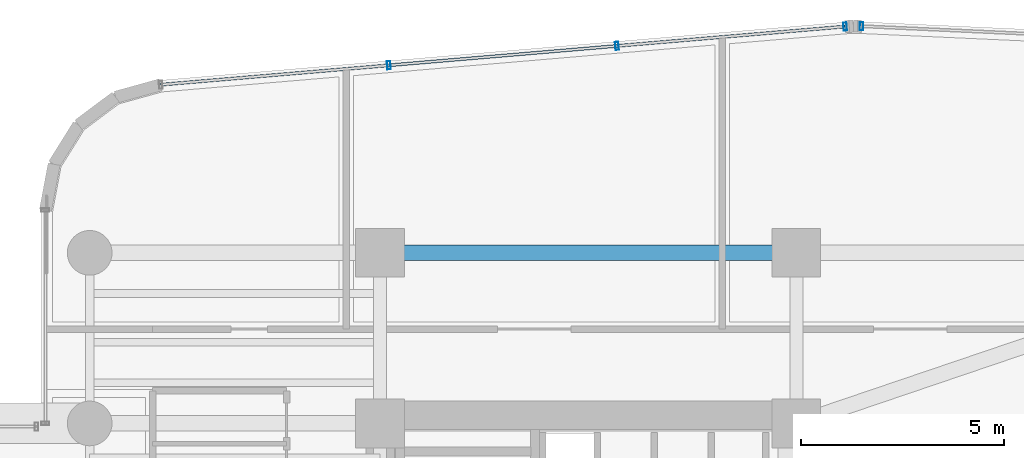
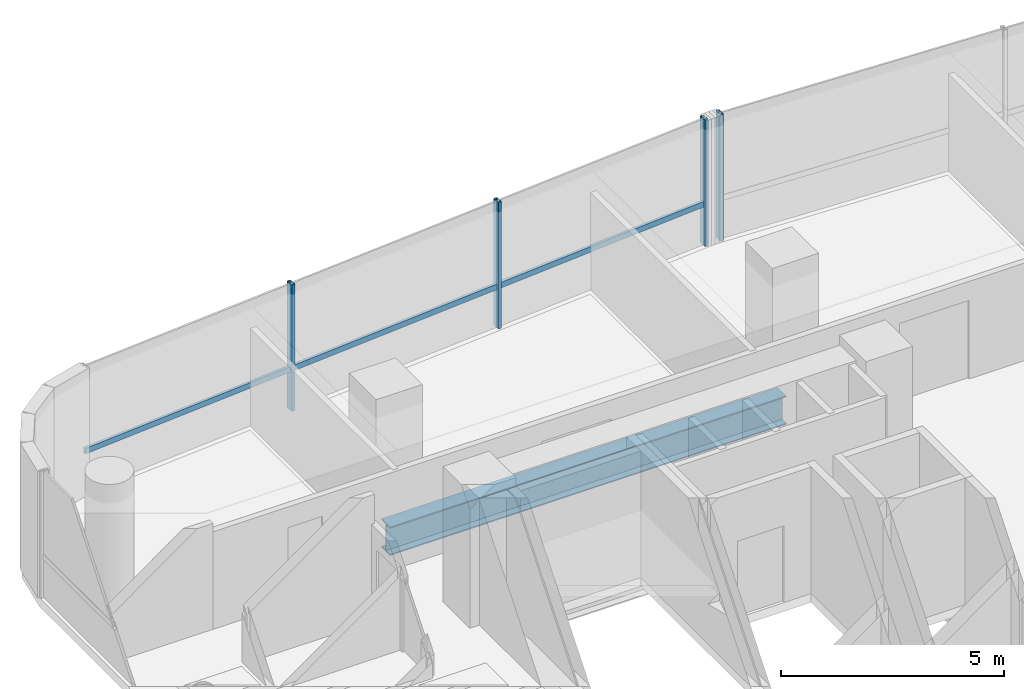
# One storey, part 19 of 35: 5 members, 1 beam, 2 elements without a shape of their own.
"""IFC4 building model written with IfcOpenShell, lengths in metres."""

import ifcopenshell
import ifcopenshell.guid

model = None  # the IFC model being written
_history = None  # IfcOwnerHistory: only IFC2X3 demands one
_inside = {}  # id of a spatial element -> (the spatial element, [elements in it])
_under = {}  # id of a project, library or spatial element -> (it, [spatial elements below it])
_declared = {}  # id of a project -> (the project, [libraries it declares])
_typed = {}  # id of a type object -> (the type object, [elements of that type])
_made_of = {}  # id of a material, layer set ... -> (it, [elements and type objects made of it])


def new_model(schema):
    """Start an empty IFC model of exactly this schema.

    Asked for "IFC4X3", IfcOpenShell would pick the latest addendum, in which some entities
    have other attributes; the version numbers below select the first issue.
    IFC2X3 requires an IfcOwnerHistory on every rooted entity: one is made here for all.
    """
    global model, _history
    if schema == "IFC4X3":
        model = ifcopenshell.file(schema_version=(4, 3, 0, 0))
    else:
        model = ifcopenshell.file(schema=schema)
    _inside.clear()
    _under.clear()
    _declared.clear()
    _typed.clear()
    _made_of.clear()
    _history = None
    if model.schema == "IFC2X3":
        org = make("IfcOrganization", Name="unknown")
        user = make(
            "IfcPersonAndOrganization",
            ThePerson=make("IfcPerson", FamilyName="unknown"),
            TheOrganization=org,
        )
        app = make(
            "IfcApplication",
            ApplicationDeveloper=org,
            Version="unknown",
            ApplicationFullName="unknown",
            ApplicationIdentifier="unknown",
        )
        _history = make(
            "IfcOwnerHistory",
            OwningUser=user,
            OwningApplication=app,
            ChangeAction="ADDED",
            CreationDate=0,
        )
    return model


def make(cls, **values):
    """One entity of the class cls with the attributes given. An attribute that is None is left unset."""
    return model.create_entity(
        cls, **{name: value for name, value in values.items() if value is not None}
    )


def rooted(cls, **values):
    """An entity with a GlobalId (a new one), such as an element, a storey or a relation."""
    return make(cls, GlobalId=ifcopenshell.guid.new(), OwnerHistory=_history, **values)


def si_unit(unit_type, name, prefix=None):
    """IfcSIUnit, for example si_unit("LENGTHUNIT", "METRE", prefix="MILLI")."""
    return make("IfcSIUnit", UnitType=unit_type, Prefix=prefix, Name=name)


def assignment(units):
    """IfcUnitAssignment: the units of a project."""
    return None if units is None else make("IfcUnitAssignment", Units=units)


def point(xyz):
    """IfcCartesianPoint."""
    return None if xyz is None else make("IfcCartesianPoint", Coordinates=xyz)


def direction(xyz):
    """IfcDirection."""
    return None if xyz is None else make("IfcDirection", DirectionRatios=xyz)


def frame(location, z_axis=None, x_axis=None):
    """IfcAxis2Placement3D, a coordinate frame: its origin and axes. An axis left out is left unset."""
    return make(
        "IfcAxis2Placement3D",
        Location=point(location),
        Axis=direction(z_axis),
        RefDirection=direction(x_axis),
    )


def frame_2d(location, x_axis=None):
    """IfcAxis2Placement2D, a coordinate frame in the plane: its origin and x axis."""
    return make(
        "IfcAxis2Placement2D", Location=point(location), RefDirection=direction(x_axis)
    )


def origin():
    """The frame at (0, 0, 0) with its axes left unset."""
    return frame((0.0, 0.0, 0.0))


def origin_2d():
    """The frame at (0, 0) in the plane with its x axis left unset."""
    return frame_2d((0.0, 0.0))


def place(relative_to, where):
    """IfcLocalPlacement: puts the frame where relative to a parent placement (None: the world)."""
    return make(
        "IfcLocalPlacement", PlacementRelTo=relative_to, RelativePlacement=where
    )


def context(
    kind, dimensions, precision=None, world=None, true_north=None, identifier=None
):
    """IfcGeometricRepresentationContext, for example the 3D "Model" context."""
    return make(
        "IfcGeometricRepresentationContext",
        ContextIdentifier=identifier,
        ContextType=kind,
        CoordinateSpaceDimension=dimensions,
        Precision=precision,
        WorldCoordinateSystem=world,
        TrueNorth=true_north,
    )


def subcontext(parent, identifier, kind, view, scale=None):
    """IfcGeometricRepresentationSubContext, for example "Body" below "Model"."""
    return make(
        "IfcGeometricRepresentationSubContext",
        ContextIdentifier=identifier,
        ContextType=kind,
        ParentContext=parent,
        TargetScale=scale,
        TargetView=view,
    )


def project(units=None, contexts=None):
    """IfcProject with its units and contexts."""
    return rooted(
        "IfcProject",
        Name="project",
        RepresentationContexts=contexts,
        UnitsInContext=assignment(units),
    )


def spatial(cls, under=None, at=None, **own):
    """A site, building, storey or space (cls), placed at a placement, below another one or the project."""
    s = rooted(cls, ObjectPlacement=at, **own)
    if under is not None:
        _under.setdefault(under.id(), (under, []))[1].append(s)
    return s


def profile(cls, at=None, kind="AREA", **sizes):
    """A parametric profile (cls). Its sizes go by their IFC names, for example OverallWidth=200.0."""
    return make(cls, ProfileType=kind, Position=at, **sizes)


def hollow_rectangle(**sizes):
    """IfcRectangleHollowProfileDef."""
    return profile("IfcRectangleHollowProfileDef", **sizes)


def i_section(**sizes):
    """IfcIShapeProfileDef."""
    return profile("IfcIShapeProfileDef", **sizes)


def extrude(swept, where, along, depth):
    """IfcExtrudedAreaSolid: the profile swept, set in the frame where, extruded along a direction by depth."""
    return make(
        "IfcExtrudedAreaSolid",
        SweptArea=swept,
        Position=where,
        ExtrudedDirection=direction(along),
        Depth=depth,
    )


def shape(context_of_items, identifier, shape_type, items):
    """IfcShapeRepresentation: the items that make up one representation, for example the "Body"."""
    return make(
        "IfcShapeRepresentation",
        ContextOfItems=context_of_items,
        RepresentationIdentifier=identifier,
        RepresentationType=shape_type,
        Items=items,
    )


def source(mapping_origin, context_of_items, identifier, shape_type, items):
    """IfcRepresentationMap: a shape defined once, which mapped items show again and again."""
    return make(
        "IfcRepresentationMap",
        MappingOrigin=mapping_origin,
        MappedRepresentation=shape(context_of_items, identifier, shape_type, items),
    )


def transform(
    local_origin,
    x_axis=None,
    y_axis=None,
    z_axis=None,
    scale=None,
    scale2=None,
    scale3=None,
    uniform=True,
):
    """IfcCartesianTransformationOperator3D, or its non-uniform kind. x_axis, y_axis, z_axis: its Axis1, 2, 3."""
    if uniform:
        return make(
            "IfcCartesianTransformationOperator3D",
            Axis1=direction(x_axis),
            Axis2=direction(y_axis),
            LocalOrigin=point(local_origin),
            Scale=scale,
            Axis3=direction(z_axis),
        )
    return make(
        "IfcCartesianTransformationOperator3DnonUniform",
        Axis1=direction(x_axis),
        Axis2=direction(y_axis),
        LocalOrigin=point(local_origin),
        Scale=scale,
        Axis3=direction(z_axis),
        Scale2=scale2,
        Scale3=scale3,
    )


def mapped(mapping_source, mapping_target):
    """IfcMappedItem: shows the shape of a source again, moved by a transform."""
    return make(
        "IfcMappedItem", MappingSource=mapping_source, MappingTarget=mapping_target
    )


def material(Name=None, Category=None):
    """IfcMaterial."""
    return make("IfcMaterial", Name=Name, Category=Category)


def material_profile(
    of_material, cross_section, Name=None, Category=None, Priority=None
):
    """IfcMaterialProfile: a cross section and its material."""
    return make(
        "IfcMaterialProfile",
        Name=Name,
        Material=of_material,
        Profile=cross_section,
        Priority=Priority,
        Category=Category,
    )


def profile_set(profiles, Name=None, composite=None):
    """IfcMaterialProfileSet."""
    return make(
        "IfcMaterialProfileSet",
        Name=Name,
        MaterialProfiles=profiles,
        CompositeProfile=composite,
    )


def made_of(thing, what):
    """Note that an element or type object is made of a material, layer set ...; save() writes the relation."""
    if what is not None:
        _made_of.setdefault(what.id(), (what, []))[1].append(thing)
    return thing


def type_object(cls, material=None, **own):
    """A type object (cls), such as IfcWallType, which elements share."""
    return made_of(rooted(cls, **own), material)


def element(
    cls,
    number,
    at=None,
    inside=None,
    cuts=None,
    type_object=None,
    material=None,
    context=None,
    identifier="Body",
    shape_type=None,
    held_by="IfcProductDefinitionShape",
    body=None,
    shapes=None,
    **own,
):
    """One element of the class cls, such as IfcWall. Its Tag is "e" and its number.

    at: its placement. inside: the storey or other place that contains it. cuts: it is an
    opening in that element (IfcRelVoidsElement). A single representation is given by context,
    identifier, shape_type and body (its items); several are given by shapes. held_by: the class
    of the entity that holds the representations. save() writes the other relations.
    """
    e = rooted(cls, Tag="e%d" % number, ObjectPlacement=at, **own)
    if body is not None:
        shapes = [shape(context, identifier, shape_type, body)]
    if shapes is not None:
        e.Representation = make(held_by, Representations=shapes)
    if inside is not None:
        _inside.setdefault(inside.id(), (inside, []))[1].append(e)
    if cuts is not None:
        rooted(
            "IfcRelVoidsElement", RelatingBuildingElement=cuts, RelatedOpeningElement=e
        )
    if type_object is not None:
        _typed.setdefault(type_object.id(), (type_object, []))[1].append(e)
    return made_of(e, material)


def aggregate(whole, parts):
    """IfcRelAggregates: a whole, such as a stair, and the parts it consists of."""
    return rooted("IfcRelAggregates", RelatingObject=whole, RelatedObjects=parts)


def save(model, path):
    """Write the relations noted so far, then the file.

    IfcRelAggregates (storeys below a building ...), IfcRelContainedInSpatialStructure (elements
    in a storey), IfcRelDefinesByType, IfcRelAssociatesMaterial and IfcRelDeclares: one each for
    every whole, place, type object, material and project.
    """
    for whole, parts in _under.values():
        aggregate(whole, parts)
    for where, things in _inside.values():
        rooted(
            "IfcRelContainedInSpatialStructure",
            RelatedElements=things,
            RelatingStructure=where,
        )
    for kind, things in _typed.values():
        rooted("IfcRelDefinesByType", RelatedObjects=things, RelatingType=kind)
    for what, things in _made_of.values():
        rooted("IfcRelAssociatesMaterial", RelatedObjects=things, RelatingMaterial=what)
    for by, libraries in _declared.values():
        rooted("IfcRelDeclares", RelatingContext=by, RelatedDefinitions=libraries)
    model.write(path)


model = new_model("IFC4")

# Units and contexts
model_context = context("Model", 3, precision=1e-05, world=origin(), true_north=direction((0.0, 1.0)))
body_context = subcontext(model_context, "Body", "Model", "MODEL_VIEW")
ifc_project = project(units=[si_unit("LENGTHUNIT", "METRE"), si_unit("AREAUNIT", "SQUARE_METRE"), si_unit("VOLUMEUNIT", "CUBIC_METRE"), si_unit("PLANEANGLEUNIT", "RADIAN"), si_unit("MASSUNIT", "GRAM", prefix="KILO")], contexts=[model_context])

# Site, building, storey
site_placement = place(None, origin())
site = spatial("IfcSite", under=ifc_project, at=site_placement, CompositionType="ELEMENT")
building_placement = place(site_placement, origin())
building = spatial("IfcBuilding", under=site, at=building_placement, Name="Valdorenza Pilgrim Sanctuary Tower", CompositionType="ELEMENT")
storey_placement = place(building_placement, frame((0.0, 0.0, 139.0)))
storey = spatial("IfcBuildingStorey", under=building, at=storey_placement, Name="L35", CompositionType="ELEMENT", Elevation=139.0)

# Beam
ifc_material_1 = material(Name="Steel ASTM A992 Grade 50", Category="steel")
ifc_material_profile_1 = material_profile(ifc_material_1, i_section(OverallWidth=0.382080078125, OverallDepth=0.779052734375, WebThickness=0.01806640625, FlangeThickness=0.030029296875, at=origin_2d()), Name="W30X191")
ifc_profile_set_1 = profile_set([ifc_material_profile_1], Name="Steel ASTM A992 Grade 50")
beam_type = type_object("IfcBeamType", Name="STR-BM-GRD-W30", PredefinedType="BEAM", material=ifc_profile_set_1)
shared_shape_1 = source(origin(), body_context, "Body", "SweptSolid", [
    extrude(i_section(OverallWidth=0.382080078125, OverallDepth=0.779052734375, WebThickness=0.01806640625, FlangeThickness=0.030029296875, at=origin_2d()), origin(), (0.0, 0.0, 1.0), 10.25),
])
beam_placement = place(storey_placement, frame((-22.64990234375, 14.800048828125, -0.62939453125), z_axis=(1.0, 0.0, 0.0), x_axis=(0.0, 1.0, 0.0)))
element("IfcBeam", 1, at=beam_placement, inside=storey, type_object=beam_type, Name="L35 Floor Girder CA-XC-N2", PredefinedType="BEAM", context=body_context, shape_type="MappedRepresentation", body=[
    mapped(shared_shape_1, transform((0.0, 0.0, 0.0), x_axis=(1.0, 0.0, 0.0), y_axis=(0.0, 1.0, 0.0), z_axis=(0.0, 0.0, 1.0), scale=1.0)),
])

# Curtain wall, members
ifc_material_2 = material(Name="Curtain-wall IGU glazing", Category="glass")
curtain_wall_type = type_object("IfcCurtainWallType", Name="CW-SYS-02", PredefinedType="NOTDEFINED", material=ifc_material_2)
curtain_wall_1_placement = place(storey_placement, origin())
curtain_wall_1 = element("IfcCurtainWall", 2, at=curtain_wall_1_placement, inside=storey, type_object=curtain_wall_type, Name="L35 Curtain Wall CW-L35-1-6", PredefinedType="NOTDEFINED")
ifc_material_3 = material(Name="Anodised aluminium AW-6060", Category="aluminium")
ifc_material_profile_2 = material_profile(ifc_material_3, hollow_rectangle(XDim=0.0849609375, YDim=0.199951171875, WallThickness=0.0048828125, at=origin_2d()), Name="ALU-M 200x85x5")
ifc_profile_set_2 = profile_set([ifc_material_profile_2], Name="Anodised aluminium AW-6060")
member_type_1 = type_object("IfcMemberType", Name="CW-MUL-02", PredefinedType="MULLION", material=ifc_profile_set_2)
shared_shape_2 = source(origin(), body_context, "Body", "SweptSolid", [
    extrude(hollow_rectangle(XDim=0.0849609375, YDim=0.199951171875, WallThickness=0.0048828125, at=origin_2d()), origin(), (0.0, 0.0, 1.0), 3.4599609375),
])
member_1_placement = place(storey_placement, frame((-22.43408203125, 19.417724609375, 0.0), z_axis=(0.0, 0.0, 1.0), x_axis=(0.99640764237, 0.084686541006, 0.0)))
member_1 = element("IfcMember", 3, at=member_1_placement, type_object=member_type_1, Name="CW-L35-1-6 Mullion 2", PredefinedType="MULLION", context=body_context, shape_type="MappedRepresentation", body=[
    mapped(shared_shape_2, transform((0.0, 0.0, 0.0), x_axis=(1.0, 0.0, 0.0), y_axis=(0.0, 1.0, 0.0), z_axis=(0.0, 0.0, 1.0), scale=1.0)),
])
member_2_placement = place(storey_placement, frame((-16.81689453125, 19.895263671875, 0.0), z_axis=(0.0, 0.0, 1.0), x_axis=(0.99640764237, 0.084686541006, 0.0)))
member_2 = element("IfcMember", 4, at=member_2_placement, type_object=member_type_1, Name="CW-L35-1-6 Mullion 3", PredefinedType="MULLION", context=body_context, shape_type="MappedRepresentation", body=[
    mapped(shared_shape_2, transform((0.0, 0.0, 0.0), x_axis=(1.0, 0.0, 0.0), y_axis=(0.0, 1.0, 0.0), z_axis=(0.0, 0.0, 1.0), scale=1.0)),
])
member_3_placement = place(storey_placement, frame((-11.199462890625, 20.37255859375, 0.0), z_axis=(0.0, 0.0, 1.0), x_axis=(0.99640764237, 0.084686541006, 0.0)))
member_3 = element("IfcMember", 5, at=member_3_placement, type_object=member_type_1, Name="CW-L35-1-6 Mullion 4", PredefinedType="MULLION", context=body_context, shape_type="MappedRepresentation", body=[
    mapped(shared_shape_2, transform((0.0, 0.0, 0.0), x_axis=(1.0, 0.0, 0.0), y_axis=(0.0, 1.0, 0.0), z_axis=(0.0, 0.0, 1.0), scale=1.0)),
])

# Curtain wall, member
curtain_wall_2_placement = place(storey_placement, origin())
curtain_wall_2 = element("IfcCurtainWall", 6, at=curtain_wall_2_placement, inside=storey, type_object=curtain_wall_type, Name="L35 Curtain Wall CW-L35-1-11", PredefinedType="NOTDEFINED")
member_4_placement = place(storey_placement, frame((-10.795654296875, 20.380615234375, 0.0), z_axis=(0.0, 0.0, 1.0), x_axis=(0.998968193221, -0.045415294044, 0.0)))
member_4 = element("IfcMember", 7, at=member_4_placement, type_object=member_type_1, Name="CW-L35-1-11 Mullion 1", PredefinedType="MULLION", context=body_context, shape_type="MappedRepresentation", body=[
    mapped(shared_shape_2, transform((0.0, 0.0, 0.0), x_axis=(1.0, 0.0, 0.0), y_axis=(0.0, 1.0, 0.0), z_axis=(0.0, 0.0, 1.0), scale=1.0)),
])
aggregate(curtain_wall_2, [member_4])

# Member
ifc_material_profile_3 = material_profile(ifc_material_3, hollow_rectangle(XDim=0.074951171875, YDim=0.14990234375, WallThickness=0.00390625, at=origin_2d()), Name="ALU-T 150x75x4")
ifc_profile_set_3 = profile_set([ifc_material_profile_3], Name="Anodised aluminium AW-6060")
member_type_2 = type_object("IfcMemberType", Name="CW-TRN-02", PredefinedType="USERDEFINED", material=ifc_profile_set_3)
shared_shape_3 = source(origin(), body_context, "Body", "SweptSolid", [
    extrude(hollow_rectangle(XDim=0.074951171875, YDim=0.14990234375, WallThickness=0.00390625, at=origin_2d()), origin(), (0.0, 0.0, 1.0), 16.912841796875),
])
member_5_placement = place(storey_placement, frame((-28.051513671875, 18.940185546875, 1.1201171875), z_axis=(0.996407213932, 0.084691581783, 0.0), x_axis=(-0.084691581783, 0.996407213932, 0.0)))
member_5 = element("IfcMember", 8, at=member_5_placement, type_object=member_type_2, Name="CW-L35-1-6 Transom 1", ObjectType="TRANSOM", PredefinedType="USERDEFINED", context=body_context, shape_type="MappedRepresentation", body=[
    mapped(shared_shape_3, transform((0.0, 0.0, 0.0), x_axis=(1.0, 0.0, 0.0), y_axis=(0.0, 1.0, 0.0), z_axis=(0.0, 0.0, 1.0), scale=1.0)),
])

aggregate(curtain_wall_1, [member_1, member_2, member_3, member_5])

save(model, "model.ifc")
